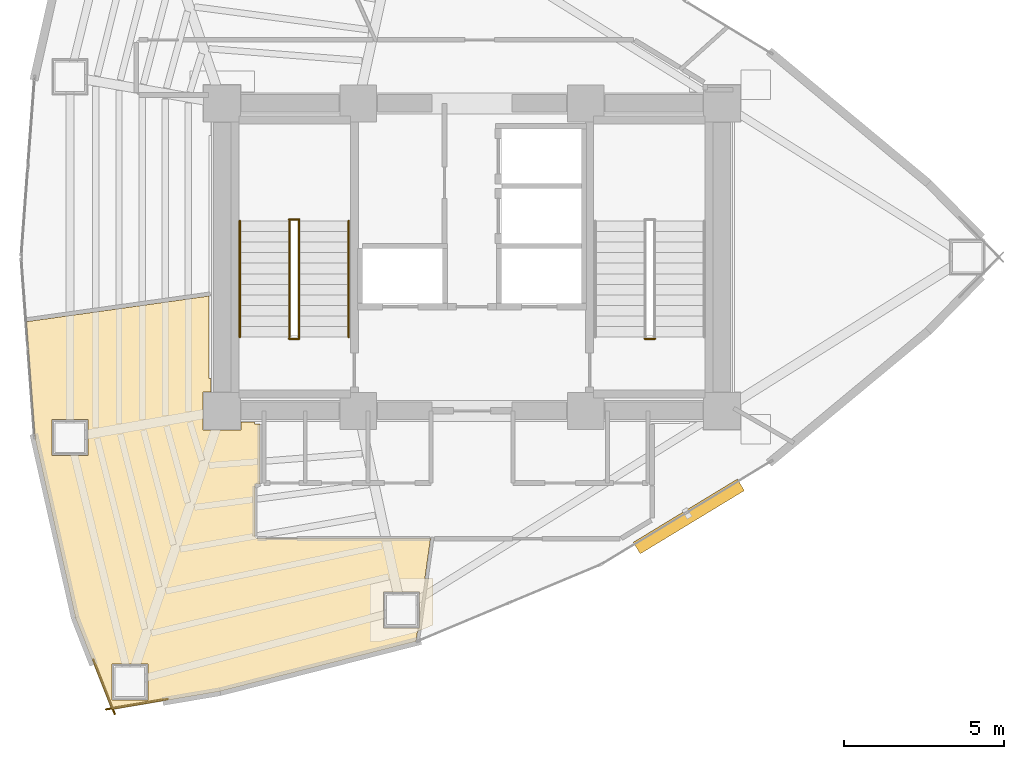
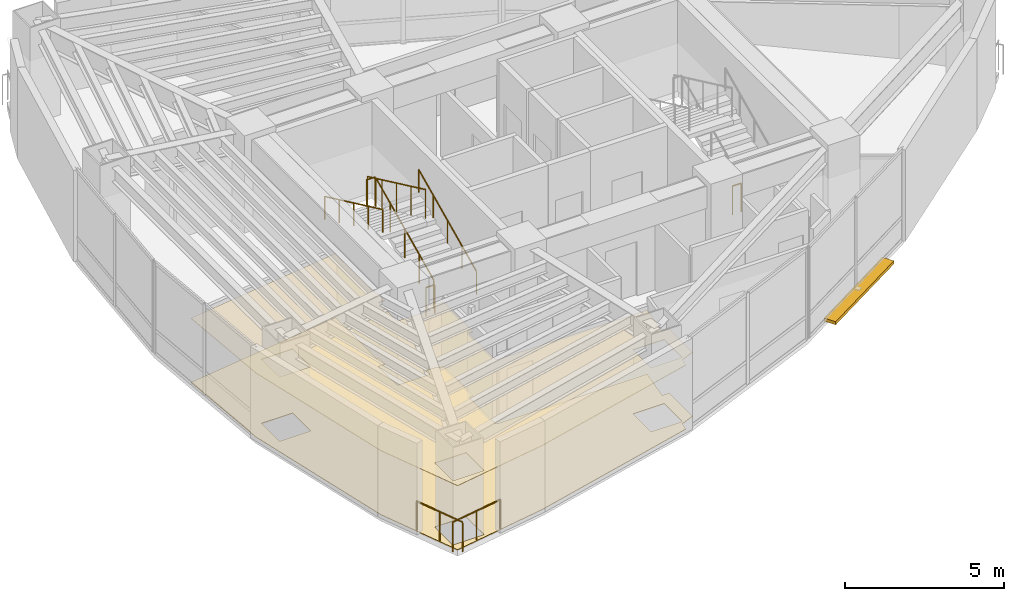
# One storey, part 13 of 15: 9 railings, 2 coverings, 1 shading device.
"""IFC4 building model written with IfcOpenShell, lengths in metres."""

import ifcopenshell
import ifcopenshell.guid

model = None  # the IFC model being written
_history = None  # IfcOwnerHistory: only IFC2X3 demands one
_inside = {}  # id of a spatial element -> (the spatial element, [elements in it])
_under = {}  # id of a project, library or spatial element -> (it, [spatial elements below it])
_declared = {}  # id of a project -> (the project, [libraries it declares])
_typed = {}  # id of a type object -> (the type object, [elements of that type])
_made_of = {}  # id of a material, layer set ... -> (it, [elements and type objects made of it])


def new_model(schema):
    """Start an empty IFC model of exactly this schema.

    Asked for "IFC4X3", IfcOpenShell would pick the latest addendum, in which some entities
    have other attributes; the version numbers below select the first issue.
    IFC2X3 requires an IfcOwnerHistory on every rooted entity: one is made here for all.
    """
    global model, _history
    if schema == "IFC4X3":
        model = ifcopenshell.file(schema_version=(4, 3, 0, 0))
    else:
        model = ifcopenshell.file(schema=schema)
    _inside.clear()
    _under.clear()
    _declared.clear()
    _typed.clear()
    _made_of.clear()
    _history = None
    if model.schema == "IFC2X3":
        org = make("IfcOrganization", Name="unknown")
        user = make(
            "IfcPersonAndOrganization",
            ThePerson=make("IfcPerson", FamilyName="unknown"),
            TheOrganization=org,
        )
        app = make(
            "IfcApplication",
            ApplicationDeveloper=org,
            Version="unknown",
            ApplicationFullName="unknown",
            ApplicationIdentifier="unknown",
        )
        _history = make(
            "IfcOwnerHistory",
            OwningUser=user,
            OwningApplication=app,
            ChangeAction="ADDED",
            CreationDate=0,
        )
    return model


def make(cls, **values):
    """One entity of the class cls with the attributes given. An attribute that is None is left unset."""
    return model.create_entity(
        cls, **{name: value for name, value in values.items() if value is not None}
    )


def rooted(cls, **values):
    """An entity with a GlobalId (a new one), such as an element, a storey or a relation."""
    return make(cls, GlobalId=ifcopenshell.guid.new(), OwnerHistory=_history, **values)


def si_unit(unit_type, name, prefix=None):
    """IfcSIUnit, for example si_unit("LENGTHUNIT", "METRE", prefix="MILLI")."""
    return make("IfcSIUnit", UnitType=unit_type, Prefix=prefix, Name=name)


def assignment(units):
    """IfcUnitAssignment: the units of a project."""
    return None if units is None else make("IfcUnitAssignment", Units=units)


def point(xyz):
    """IfcCartesianPoint."""
    return None if xyz is None else make("IfcCartesianPoint", Coordinates=xyz)


def direction(xyz):
    """IfcDirection."""
    return None if xyz is None else make("IfcDirection", DirectionRatios=xyz)


def frame(location, z_axis=None, x_axis=None):
    """IfcAxis2Placement3D, a coordinate frame: its origin and axes. An axis left out is left unset."""
    return make(
        "IfcAxis2Placement3D",
        Location=point(location),
        Axis=direction(z_axis),
        RefDirection=direction(x_axis),
    )


def frame_2d(location, x_axis=None):
    """IfcAxis2Placement2D, a coordinate frame in the plane: its origin and x axis."""
    return make(
        "IfcAxis2Placement2D", Location=point(location), RefDirection=direction(x_axis)
    )


def origin():
    """The frame at (0, 0, 0) with its axes left unset."""
    return frame((0.0, 0.0, 0.0))


def origin_2d():
    """The frame at (0, 0) in the plane with its x axis left unset."""
    return frame_2d((0.0, 0.0))


def place(relative_to, where):
    """IfcLocalPlacement: puts the frame where relative to a parent placement (None: the world)."""
    return make(
        "IfcLocalPlacement", PlacementRelTo=relative_to, RelativePlacement=where
    )


def context(
    kind, dimensions, precision=None, world=None, true_north=None, identifier=None
):
    """IfcGeometricRepresentationContext, for example the 3D "Model" context."""
    return make(
        "IfcGeometricRepresentationContext",
        ContextIdentifier=identifier,
        ContextType=kind,
        CoordinateSpaceDimension=dimensions,
        Precision=precision,
        WorldCoordinateSystem=world,
        TrueNorth=true_north,
    )


def subcontext(parent, identifier, kind, view, scale=None):
    """IfcGeometricRepresentationSubContext, for example "Body" below "Model"."""
    return make(
        "IfcGeometricRepresentationSubContext",
        ContextIdentifier=identifier,
        ContextType=kind,
        ParentContext=parent,
        TargetScale=scale,
        TargetView=view,
    )


def project(units=None, contexts=None):
    """IfcProject with its units and contexts."""
    return rooted(
        "IfcProject",
        Name="project",
        RepresentationContexts=contexts,
        UnitsInContext=assignment(units),
    )


def spatial(cls, under=None, at=None, **own):
    """A site, building, storey or space (cls), placed at a placement, below another one or the project."""
    s = rooted(cls, ObjectPlacement=at, **own)
    if under is not None:
        _under.setdefault(under.id(), (under, []))[1].append(s)
    return s


def polyline(points):
    """IfcPolyline through the points."""
    return make("IfcPolyline", Points=[point(p) for p in points])


def profile(cls, at=None, kind="AREA", **sizes):
    """A parametric profile (cls). Its sizes go by their IFC names, for example OverallWidth=200.0."""
    return make(cls, ProfileType=kind, Position=at, **sizes)


def rectangle(**sizes):
    """IfcRectangleProfileDef."""
    return profile("IfcRectangleProfileDef", **sizes)


def circle(**sizes):
    """IfcCircleProfileDef."""
    return profile("IfcCircleProfileDef", **sizes)


def outline(outer, holes=None, kind="AREA"):
    """IfcArbitraryClosedProfileDef: a profile drawn as a closed curve; with holes, ...WithVoids."""
    if holes is None:
        return make("IfcArbitraryClosedProfileDef", ProfileType=kind, OuterCurve=outer)
    return make(
        "IfcArbitraryProfileDefWithVoids",
        ProfileType=kind,
        OuterCurve=outer,
        InnerCurves=holes,
    )


def extrude(swept, where, along, depth):
    """IfcExtrudedAreaSolid: the profile swept, set in the frame where, extruded along a direction by depth."""
    return make(
        "IfcExtrudedAreaSolid",
        SweptArea=swept,
        Position=where,
        ExtrudedDirection=direction(along),
        Depth=depth,
    )


def shape(context_of_items, identifier, shape_type, items):
    """IfcShapeRepresentation: the items that make up one representation, for example the "Body"."""
    return make(
        "IfcShapeRepresentation",
        ContextOfItems=context_of_items,
        RepresentationIdentifier=identifier,
        RepresentationType=shape_type,
        Items=items,
    )


def material(Name=None, Category=None):
    """IfcMaterial."""
    return make("IfcMaterial", Name=Name, Category=Category)


def layer(
    of_material, thickness, ventilated=None, Name=None, Category=None, Priority=None
):
    """IfcMaterialLayer: one layer of a wall or slab, of a material (None: an air gap)."""
    return make(
        "IfcMaterialLayer",
        Material=of_material,
        LayerThickness=thickness,
        IsVentilated=ventilated,
        Name=Name,
        Category=Category,
        Priority=Priority,
    )


def layer_set(layers, Name=None):
    """IfcMaterialLayerSet."""
    return make("IfcMaterialLayerSet", MaterialLayers=layers, LayerSetName=Name)


def made_of(thing, what):
    """Note that an element or type object is made of a material, layer set ...; save() writes the relation."""
    if what is not None:
        _made_of.setdefault(what.id(), (what, []))[1].append(thing)
    return thing


def type_object(cls, material=None, **own):
    """A type object (cls), such as IfcWallType, which elements share."""
    return made_of(rooted(cls, **own), material)


def element(
    cls,
    number,
    at=None,
    inside=None,
    cuts=None,
    type_object=None,
    material=None,
    context=None,
    identifier="Body",
    shape_type=None,
    held_by="IfcProductDefinitionShape",
    body=None,
    shapes=None,
    **own,
):
    """One element of the class cls, such as IfcWall. Its Tag is "e" and its number.

    at: its placement. inside: the storey or other place that contains it. cuts: it is an
    opening in that element (IfcRelVoidsElement). A single representation is given by context,
    identifier, shape_type and body (its items); several are given by shapes. held_by: the class
    of the entity that holds the representations. save() writes the other relations.
    """
    e = rooted(cls, Tag="e%d" % number, ObjectPlacement=at, **own)
    if body is not None:
        shapes = [shape(context, identifier, shape_type, body)]
    if shapes is not None:
        e.Representation = make(held_by, Representations=shapes)
    if inside is not None:
        _inside.setdefault(inside.id(), (inside, []))[1].append(e)
    if cuts is not None:
        rooted(
            "IfcRelVoidsElement", RelatingBuildingElement=cuts, RelatedOpeningElement=e
        )
    if type_object is not None:
        _typed.setdefault(type_object.id(), (type_object, []))[1].append(e)
    return made_of(e, material)


def aggregate(whole, parts):
    """IfcRelAggregates: a whole, such as a stair, and the parts it consists of."""
    return rooted("IfcRelAggregates", RelatingObject=whole, RelatedObjects=parts)


def save(model, path):
    """Write the relations noted so far, then the file.

    IfcRelAggregates (storeys below a building ...), IfcRelContainedInSpatialStructure (elements
    in a storey), IfcRelDefinesByType, IfcRelAssociatesMaterial and IfcRelDeclares: one each for
    every whole, place, type object, material and project.
    """
    for whole, parts in _under.values():
        aggregate(whole, parts)
    for where, things in _inside.values():
        rooted(
            "IfcRelContainedInSpatialStructure",
            RelatedElements=things,
            RelatingStructure=where,
        )
    for kind, things in _typed.values():
        rooted("IfcRelDefinesByType", RelatedObjects=things, RelatingType=kind)
    for what, things in _made_of.values():
        rooted("IfcRelAssociatesMaterial", RelatedObjects=things, RelatingMaterial=what)
    for by, libraries in _declared.values():
        rooted("IfcRelDeclares", RelatingContext=by, RelatedDefinitions=libraries)
    model.write(path)


model = new_model("IFC4")

# Units and contexts
model_context = context("Model", 3, precision=1e-05, world=origin(), true_north=direction((0.0, 1.0)))
body_context = subcontext(model_context, "Body", "Model", "MODEL_VIEW")
ifc_project = project(units=[si_unit("LENGTHUNIT", "METRE"), si_unit("AREAUNIT", "SQUARE_METRE"), si_unit("VOLUMEUNIT", "CUBIC_METRE"), si_unit("PLANEANGLEUNIT", "RADIAN"), si_unit("MASSUNIT", "GRAM", prefix="KILO")], contexts=[model_context])

# Site, building, storey
site_placement = place(None, origin())
site = spatial("IfcSite", under=ifc_project, at=site_placement, CompositionType="ELEMENT")
building_placement = place(site_placement, origin())
building = spatial("IfcBuilding", under=site, at=building_placement, Name="Menara Vayukalpa", CompositionType="ELEMENT")
storey_placement = place(building_placement, frame((0.0, 0.0, 137.4599609375)))
storey = spatial("IfcBuildingStorey", under=building, at=storey_placement, Name="L34", CompositionType="ELEMENT", Elevation=137.4599609375)

# Coverings
ifc_material_1 = material(Name="Mineral Fibre Acoustic Ceiling Tile", Category="masonry")
ifc_layer_1 = layer(ifc_material_1, 0.02490234375)
ifc_layer_set_1 = layer_set([ifc_layer_1], Name="Mineral Fibre Acoustic Ceiling Tile")
covering_type_1 = type_object("IfcCoveringType", Name="COV-CLG1", PredefinedType="CEILING", material=ifc_layer_set_1)
covering_1_placement = place(storey_placement, frame((0.0, 0.0, 2.449951171875)))
element("IfcCovering", 1, at=covering_1_placement, inside=storey, type_object=covering_type_1, Name="L34 Operations Support Office Acoustic Ceiling", PredefinedType="CEILING", context=body_context, shape_type="SweptSolid", body=[
    extrude(outline(polyline([(24.3818359375, 10.514404296875), (23.896728515625, 10.3115234375), (23.85498046875, 10.013916015625), (23.854736328125, 10.012939453125), (23.8544921875, 10.01220703125), (23.85400390625, 10.01123046875), (23.853515625, 10.01025390625), (23.85302734375, 10.009521484375), (23.852294921875, 10.0087890625), (23.851806640625, 10.008056640625), (23.85107421875, 10.00732421875), (23.85009765625, 10.0068359375), (23.849365234375, 10.00634765625), (23.848388671875, 10.006103515625), (23.847412109375, 10.005615234375), (17.7314453125, 8.44580078125), (17.730712890625, 8.44580078125), (14.35986328125, 7.873291015625), (14.35888671875, 7.873291015625), (14.35791015625, 7.873291015625), (14.35693359375, 7.873291015625), (14.35595703125, 7.87353515625), (14.35498046875, 7.873779296875), (14.354248046875, 7.874267578125), (14.353271484375, 7.87451171875), (14.3525390625, 7.875), (14.351806640625, 7.875732421875), (14.35107421875, 7.87646484375), (14.350341796875, 7.877197265625), (14.349853515625, 7.8779296875), (14.349365234375, 7.87890625), (14.348876953125, 7.879638671875), (13.22607421875, 10.738525390625), (13.225830078125, 10.7392578125), (13.2255859375, 10.739990234375), (11.958984375, 16.368896484375), (11.958984375, 16.37060546875), (11.688720703125, 19.974853515625), (11.688720703125, 19.975830078125), (11.688720703125, 19.976806640625), (11.68896484375, 19.977783203125), (11.689208984375, 19.978759765625), (11.689453125, 19.979736328125), (11.68994140625, 19.980712890625), (11.6904296875, 19.9814453125), (11.691162109375, 19.982421875), (11.69189453125, 19.98291015625), (11.692626953125, 19.983642578125), (11.693359375, 19.984130859375), (11.6943359375, 19.984619140625), (11.6953125, 19.985107421875), (11.6962890625, 19.9853515625), (11.697265625, 19.985595703125), (17.378662109375, 20.783935546875), (17.379638671875, 20.7841796875), (17.380615234375, 20.7841796875), (17.381591796875, 20.783935546875), (17.382568359375, 20.78369140625), (17.383544921875, 20.783447265625), (17.384521484375, 20.782958984375), (17.385498046875, 20.782470703125), (17.38623046875, 20.781982421875), (17.386962890625, 20.78125), (17.3876953125, 20.780517578125), (17.38818359375, 20.77978515625), (17.388916015625, 20.77880859375), (17.38916015625, 20.778076171875), (17.389404296875, 20.777099609375), (17.389892578125, 20.776123046875), (17.389892578125, 20.775146484375), (17.389892578125, 20.774169921875), (17.389892578125, 18.2099609375), (17.449951171875, 18.2099609375), (17.449951171875, 17.7900390625), (17.2099609375, 17.7900390625), (17.2099609375, 16.610107421875), (18.389892578125, 16.610107421875), (18.389892578125, 16.85009765625), (18.81005859375, 16.85009765625), (18.81005859375, 16.7900390625), (18.97998046875, 16.7900390625), (18.98095703125, 16.7900390625), (18.98193359375, 16.789794921875), (18.98291015625, 16.78955078125), (18.98388671875, 16.789306640625), (18.984619140625, 16.788818359375), (18.985595703125, 16.788330078125), (18.986328125, 16.78759765625), (18.987060546875, 16.787109375), (18.98779296875, 16.786376953125), (18.98828125, 16.78564453125), (18.98876953125, 16.78466796875), (18.9892578125, 16.78369140625), (18.989501953125, 16.782958984375), (18.98974609375, 16.781982421875), (18.989990234375, 16.781005859375), (18.989990234375, 16.780029296875), (18.989990234375, 14.929931640625), (18.989990234375, 14.928955078125), (18.98974609375, 14.927978515625), (18.989501953125, 14.927001953125), (18.9892578125, 14.92626953125), (18.98876953125, 14.92529296875), (18.98828125, 14.92431640625), (18.98779296875, 14.923583984375), (18.987060546875, 14.9228515625), (18.986328125, 14.92236328125), (18.985595703125, 14.921630859375), (18.984619140625, 14.921142578125), (18.98388671875, 14.9208984375), (18.98291015625, 14.92041015625), (18.98193359375, 14.920166015625), (18.98095703125, 14.919921875), (18.97998046875, 14.919921875), (18.900390625, 14.919921875), (18.893310546875, 14.919677734375), (18.88623046875, 14.918701171875), (18.879638671875, 14.9169921875), (18.873291015625, 14.914794921875), (18.866943359375, 14.911865234375), (18.861083984375, 14.908203125), (18.85546875, 14.904052734375), (18.8505859375, 14.8994140625), (18.845947265625, 14.89453125), (18.841796875, 14.888916015625), (18.838134765625, 14.883056640625), (18.835205078125, 14.876708984375), (18.8330078125, 14.870361328125), (18.831298828125, 14.86376953125), (18.830322265625, 14.856689453125), (18.830078125, 14.849609375), (18.830078125, 13.290283203125), (18.830322265625, 13.283203125), (18.831298828125, 13.2763671875), (18.8330078125, 13.269775390625), (18.835205078125, 13.26318359375), (18.838134765625, 13.257080078125), (18.841796875, 13.251220703125), (18.845947265625, 13.24560546875), (18.8505859375, 13.240478515625), (18.85546875, 13.236083984375), (18.861083984375, 13.231689453125), (18.866943359375, 13.228271484375), (18.873291015625, 13.225341796875), (18.879638671875, 13.222900390625), (18.88623046875, 13.22119140625), (18.893310546875, 13.220458984375), (18.900390625, 13.219970703125), (24.2939453125, 13.219970703125), (24.294921875, 13.219970703125), (24.2958984375, 13.2197265625), (24.297119140625, 13.219482421875), (24.2978515625, 13.21923828125), (24.298828125, 13.21875), (24.2998046875, 13.21826171875), (24.300537109375, 13.217529296875), (24.30126953125, 13.216796875), (24.302001953125, 13.21630859375), (24.302490234375, 13.21533203125), (24.302978515625, 13.214599609375), (24.30322265625, 13.213623046875), (24.3037109375, 13.212646484375), (24.303955078125, 13.211669921875), (24.303955078125, 13.210693359375), (24.303955078125, 13.209716796875), (24.303955078125, 13.20849609375), (24.130126953125, 11.972900390625), (24.3818359375, 11.972900390625), (24.3818359375, 10.514404296875)]), holes=[polyline([(14.35546875, 9.304443359375), (14.35546875, 8.174560546875), (15.485595703125, 8.174560546875), (15.485595703125, 9.304443359375), (14.35546875, 9.304443359375)]), polyline([(13.614013671875, 16.93310546875), (12.484130859375, 16.93310546875), (12.484130859375, 15.80322265625), (13.614013671875, 15.80322265625), (13.614013671875, 16.93310546875)]), polyline([(23.9619140625, 11.552978515625), (22.831787109375, 11.552978515625), (22.831787109375, 10.423095703125), (23.9619140625, 10.423095703125), (23.9619140625, 11.552978515625)])]), origin(), (0.0, 0.0, 1.0), 0.025146484375),
])
ifc_material_2 = material(Name="Porcelain Stoneware Floor Tile", Category="masonry")
ifc_layer_2 = layer(ifc_material_2, 0.02001953125)
ifc_layer_set_2 = layer_set([ifc_layer_2], Name="Porcelain Stoneware Floor Tile")
covering_type_2 = type_object("IfcCoveringType", Name="COV-FLR1", PredefinedType="FLOORING", material=ifc_layer_set_2)
covering_2_placement = place(storey_placement, origin())
element("IfcCovering", 2, at=covering_2_placement, inside=storey, type_object=covering_type_2, Name="L34 Operations Support Office Porcelain Flooring", PredefinedType="FLOORING", context=body_context, shape_type="SweptSolid", body=[
    extrude(outline(polyline([(24.3818359375, 10.514404296875), (23.896728515625, 10.3115234375), (23.85498046875, 10.013916015625), (23.854736328125, 10.012939453125), (23.8544921875, 10.01220703125), (23.85400390625, 10.01123046875), (23.853515625, 10.01025390625), (23.85302734375, 10.009521484375), (23.852294921875, 10.0087890625), (23.851806640625, 10.008056640625), (23.85107421875, 10.00732421875), (23.85009765625, 10.0068359375), (23.849365234375, 10.00634765625), (23.848388671875, 10.006103515625), (23.847412109375, 10.005615234375), (17.7314453125, 8.44580078125), (17.730712890625, 8.44580078125), (14.35986328125, 7.873291015625), (14.35888671875, 7.873291015625), (14.35791015625, 7.873291015625), (14.35693359375, 7.873291015625), (14.35595703125, 7.87353515625), (14.35498046875, 7.873779296875), (14.354248046875, 7.874267578125), (14.353271484375, 7.87451171875), (14.3525390625, 7.875), (14.351806640625, 7.875732421875), (14.35107421875, 7.87646484375), (14.350341796875, 7.877197265625), (14.349853515625, 7.8779296875), (14.349365234375, 7.87890625), (14.348876953125, 7.879638671875), (13.22607421875, 10.738525390625), (13.225830078125, 10.7392578125), (13.2255859375, 10.739990234375), (11.958984375, 16.368896484375), (11.958984375, 16.37060546875), (11.688720703125, 19.974853515625), (11.688720703125, 19.975830078125), (11.688720703125, 19.976806640625), (11.68896484375, 19.977783203125), (11.689208984375, 19.978759765625), (11.689453125, 19.979736328125), (11.68994140625, 19.980712890625), (11.6904296875, 19.9814453125), (11.691162109375, 19.982421875), (11.69189453125, 19.98291015625), (11.692626953125, 19.983642578125), (11.693359375, 19.984130859375), (11.6943359375, 19.984619140625), (11.6953125, 19.985107421875), (11.6962890625, 19.9853515625), (11.697265625, 19.985595703125), (17.378662109375, 20.783935546875), (17.379638671875, 20.7841796875), (17.380615234375, 20.7841796875), (17.381591796875, 20.783935546875), (17.382568359375, 20.78369140625), (17.383544921875, 20.783447265625), (17.384521484375, 20.782958984375), (17.385498046875, 20.782470703125), (17.38623046875, 20.781982421875), (17.386962890625, 20.78125), (17.3876953125, 20.780517578125), (17.38818359375, 20.77978515625), (17.388916015625, 20.77880859375), (17.38916015625, 20.778076171875), (17.389404296875, 20.777099609375), (17.389892578125, 20.776123046875), (17.389892578125, 20.775146484375), (17.389892578125, 20.774169921875), (17.389892578125, 18.2099609375), (17.449951171875, 18.2099609375), (17.449951171875, 17.7900390625), (17.2099609375, 17.7900390625), (17.2099609375, 16.610107421875), (18.389892578125, 16.610107421875), (18.389892578125, 16.85009765625), (18.81005859375, 16.85009765625), (18.81005859375, 16.7900390625), (18.97998046875, 16.7900390625), (18.98095703125, 16.7900390625), (18.98193359375, 16.789794921875), (18.98291015625, 16.78955078125), (18.98388671875, 16.789306640625), (18.984619140625, 16.788818359375), (18.985595703125, 16.788330078125), (18.986328125, 16.78759765625), (18.987060546875, 16.787109375), (18.98779296875, 16.786376953125), (18.98828125, 16.78564453125), (18.98876953125, 16.78466796875), (18.9892578125, 16.78369140625), (18.989501953125, 16.782958984375), (18.98974609375, 16.781982421875), (18.989990234375, 16.781005859375), (18.989990234375, 16.780029296875), (18.989990234375, 14.929931640625), (18.989990234375, 14.928955078125), (18.98974609375, 14.927978515625), (18.989501953125, 14.927001953125), (18.9892578125, 14.92626953125), (18.98876953125, 14.92529296875), (18.98828125, 14.92431640625), (18.98779296875, 14.923583984375), (18.987060546875, 14.9228515625), (18.986328125, 14.92236328125), (18.985595703125, 14.921630859375), (18.984619140625, 14.921142578125), (18.98388671875, 14.9208984375), (18.98291015625, 14.92041015625), (18.98193359375, 14.920166015625), (18.98095703125, 14.919921875), (18.97998046875, 14.919921875), (18.900390625, 14.919921875), (18.893310546875, 14.919677734375), (18.88623046875, 14.918701171875), (18.879638671875, 14.9169921875), (18.873291015625, 14.914794921875), (18.866943359375, 14.911865234375), (18.861083984375, 14.908203125), (18.85546875, 14.904052734375), (18.8505859375, 14.8994140625), (18.845947265625, 14.89453125), (18.841796875, 14.888916015625), (18.838134765625, 14.883056640625), (18.835205078125, 14.876708984375), (18.8330078125, 14.870361328125), (18.831298828125, 14.86376953125), (18.830322265625, 14.856689453125), (18.830078125, 14.849609375), (18.830078125, 13.290283203125), (18.830322265625, 13.283203125), (18.831298828125, 13.2763671875), (18.8330078125, 13.269775390625), (18.835205078125, 13.26318359375), (18.838134765625, 13.257080078125), (18.841796875, 13.251220703125), (18.845947265625, 13.24560546875), (18.8505859375, 13.240478515625), (18.85546875, 13.236083984375), (18.861083984375, 13.231689453125), (18.866943359375, 13.228271484375), (18.873291015625, 13.225341796875), (18.879638671875, 13.222900390625), (18.88623046875, 13.22119140625), (18.893310546875, 13.220458984375), (18.900390625, 13.219970703125), (24.2939453125, 13.219970703125), (24.294921875, 13.219970703125), (24.2958984375, 13.2197265625), (24.297119140625, 13.219482421875), (24.2978515625, 13.21923828125), (24.298828125, 13.21875), (24.2998046875, 13.21826171875), (24.300537109375, 13.217529296875), (24.30126953125, 13.216796875), (24.302001953125, 13.21630859375), (24.302490234375, 13.21533203125), (24.302978515625, 13.214599609375), (24.30322265625, 13.213623046875), (24.3037109375, 13.212646484375), (24.303955078125, 13.211669921875), (24.303955078125, 13.210693359375), (24.303955078125, 13.209716796875), (24.303955078125, 13.20849609375), (24.130126953125, 11.972900390625), (24.3818359375, 11.972900390625), (24.3818359375, 10.514404296875)]), holes=[polyline([(14.35546875, 9.304443359375), (14.35546875, 8.174560546875), (15.485595703125, 8.174560546875), (15.485595703125, 9.304443359375), (14.35546875, 9.304443359375)]), polyline([(13.614013671875, 16.93310546875), (12.484130859375, 16.93310546875), (12.484130859375, 15.80322265625), (13.614013671875, 15.80322265625), (13.614013671875, 16.93310546875)]), polyline([(23.9619140625, 11.552978515625), (22.831787109375, 11.552978515625), (22.831787109375, 10.423095703125), (23.9619140625, 10.423095703125), (23.9619140625, 11.552978515625)])]), origin(), (0.0, 0.0, 1.0), 0.02001953125),
])

# Railings
ifc_material_3 = material(Name="Laminated Glass and Stainless Steel 316 Guardrail", Category="steel")
railing_type_1 = type_object("IfcRailingType", Name="RLG-EXT115", PredefinedType="GUARDRAIL", material=ifc_material_3)
railing_1_placement = place(storey_placement, frame((13.77880859375, 9.440673828125, 0.0)))
element("IfcRailing", 3, at=railing_1_placement, inside=storey, type_object=railing_type_1, Name="L34 Column Corner Spandrel Guardrail 13-1", PredefinedType="GUARDRAIL", context=body_context, shape_type="SweptSolid", body=[
    extrude(circle(Radius=0.02392578125, at=origin_2d()), frame((0.0, 0.0, 1.1259765625), z_axis=(0.365496165744, -0.93081284522, 0.0), x_axis=(0.93081284522, 0.365496165744, 0.0)), (0.0, 0.0, 1.0), 1.837646484375),
    extrude(circle(Radius=0.02099609375, at=origin_2d()), origin(), (0.0, 0.0, 1.0), 1.101806640625),
    extrude(circle(Radius=0.02099609375, at=origin_2d()), frame((0.3359375, -0.855224609375, 0.0)), (0.0, 0.0, 1.0), 1.101806640625),
    extrude(circle(Radius=0.02099609375, at=origin_2d()), frame((0.671630859375, -1.71044921875, 0.0)), (0.0, 0.0, 1.0), 1.101806640625),
])
railing_2_placement = place(storey_placement, frame((14.179443359375, 7.88330078125, 0.0)))
element("IfcRailing", 4, at=railing_2_placement, inside=storey, type_object=railing_type_1, Name="L34 Column Corner Spandrel Guardrail 14-1", PredefinedType="GUARDRAIL", context=body_context, shape_type="SweptSolid", body=[
    extrude(circle(Radius=0.02392578125, at=origin_2d()), frame((0.0, 0.0, 1.1259765625), z_axis=(0.985886955751, 0.167412396435, 0.0), x_axis=(-0.167412396435, 0.985886955751, 0.0)), (0.0, 0.0, 1.0), 1.94384765625),
    extrude(circle(Radius=0.02099609375, at=origin_2d()), origin(), (0.0, 0.0, 1.0), 1.101806640625),
    extrude(circle(Radius=0.02099609375, at=origin_2d()), frame((0.958251953125, 0.16259765625, 0.0)), (0.0, 0.0, 1.0), 1.101806640625),
    extrude(circle(Radius=0.02099609375, at=origin_2d()), frame((1.91650390625, 0.325439453125, 0.0)), (0.0, 0.0, 1.0), 1.101806640625),
])
ifc_material_4 = material(Name="Powder-Coated Galvanised Steel Guardrail", Category="steel")
railing_type_2 = type_object("IfcRailingType", Name="RLG-STG110", PredefinedType="GUARDRAIL", material=ifc_material_4)
railing_3_placement = place(storey_placement, frame((20.199951171875, 19.5, 0.155029296875)))
element("IfcRailing", 5, at=railing_3_placement, inside=storey, type_object=railing_type_2, Name="L34 ST-1 stair guard 1", PredefinedType="GUARDRAIL", context=body_context, shape_type="SweptSolid", body=[
    extrude(circle(Radius=0.02392578125, at=origin_2d()), frame((0.0, 0.0, 1.09619140625), z_axis=(0.0, 0.90511648382, 0.425163675209), x_axis=(-1.0, 0.0, 0.0)), (0.0, 0.0, 1.0), 4.010498046875),
    extrude(circle(Radius=0.02099609375, at=origin_2d()), origin(), (0.0, 0.0, 1.0), 1.072021484375),
    extrude(circle(Radius=0.02099609375, at=origin_2d()), frame((0.0, 0.907470703125, 0.42626953125)), (0.0, 0.0, 1.0), 1.072021484375),
    extrude(circle(Radius=0.02099609375, at=origin_2d()), frame((0.0, 1.81494140625, 0.8525390625)), (0.0, 0.0, 1.0), 1.072021484375),
    extrude(circle(Radius=0.02099609375, at=origin_2d()), frame((0.0, 2.722412109375, 1.27880859375)), (0.0, 0.0, 1.0), 1.072021484375),
    extrude(circle(Radius=0.02099609375, at=origin_2d()), frame((0.0, 3.6298828125, 1.705078125)), (0.0, 0.0, 1.0), 1.072021484375),
])
railing_4_placement = place(storey_placement, frame((20.2099609375, 23.179931640625, 1.860107421875)))
element("IfcRailing", 6, at=railing_4_placement, inside=storey, type_object=railing_type_2, Name="L34 ST-1 stair guard 2", PredefinedType="GUARDRAIL", context=body_context, shape_type="SweptSolid", body=[
    extrude(circle(Radius=0.02392578125, at=origin_2d()), frame((0.0, 0.0, 1.09619140625), z_axis=(-1.0, 0.0, 0.0), x_axis=(0.0, -1.0, 0.0)), (0.0, 0.0, 1.0), 0.320068359375),
    extrude(circle(Radius=0.02099609375, at=origin_2d()), origin(), (0.0, 0.0, 1.0), 1.072021484375),
    extrude(circle(Radius=0.02099609375, at=origin_2d()), frame((-0.320068359375, 0.0, 0.0)), (0.0, 0.0, 1.0), 1.072021484375),
])
railing_5_placement = place(storey_placement, frame((19.89990234375, 23.1298828125, 2.01513671875)))
element("IfcRailing", 7, at=railing_5_placement, inside=storey, type_object=railing_type_2, Name="L34 ST-1 stair guard 3", PredefinedType="GUARDRAIL", context=body_context, shape_type="SweptSolid", body=[
    extrude(circle(Radius=0.02392578125, at=origin_2d()), frame((0.0, 0.0, 1.09619140625), z_axis=(0.0, -0.90513990983, 0.425113800803), x_axis=(1.0, 0.0, 0.0)), (0.0, 0.0, 1.0), 4.01025390625),
    extrude(circle(Radius=0.02099609375, at=origin_2d()), origin(), (0.0, 0.0, 1.0), 1.072021484375),
    extrude(circle(Radius=0.02099609375, at=origin_2d()), frame((0.0, -0.907470703125, 0.42626953125)), (0.0, 0.0, 1.0), 1.072021484375),
    extrude(circle(Radius=0.02099609375, at=origin_2d()), frame((0.0, -1.81494140625, 0.8525390625)), (0.0, 0.0, 1.0), 1.072021484375),
    extrude(circle(Radius=0.02099609375, at=origin_2d()), frame((0.0, -2.722412109375, 1.278564453125)), (0.0, 0.0, 1.0), 1.072021484375),
    extrude(circle(Radius=0.02099609375, at=origin_2d()), frame((0.0, -3.6298828125, 1.704833984375)), (0.0, 0.0, 1.0), 1.072021484375),
])
for number, where, name in (
    (8, (20.2099609375, 19.449951171875, 0.0), "L34 ST-1 stair guard 4"),
    (9, (31.31005859375, 19.449951171875, 0.0), "L34 ST-2 stair guard 4"),
):
    element("IfcRailing", number, at=place(storey_placement, frame(where)), inside=storey, type_object=railing_type_2, Name=name, PredefinedType="GUARDRAIL", context=body_context, shape_type="SweptSolid", body=[
        extrude(circle(Radius=0.02392578125, at=origin_2d()), frame((0.0, 0.0, 1.09619140625), z_axis=(-1.0, 0.0, 0.0), x_axis=(0.0, -1.0, 0.0)), (0.0, 0.0, 1.0), 0.320068359375),
        extrude(circle(Radius=0.02099609375, at=origin_2d()), origin(), (0.0, 0.0, 1.0), 1.072021484375),
        extrude(circle(Radius=0.02099609375, at=origin_2d()), frame((-0.320068359375, 0.0, 0.0)), (0.0, 0.0, 1.0), 1.072021484375),
    ])
ifc_material_5 = material(Name="Stainless Steel 316 Tubular Handrail", Category="steel")
railing_type_3 = type_object("IfcRailingType", Name="RLG-STH090", PredefinedType="HANDRAIL", material=ifc_material_5)
railing_6_placement = place(storey_placement, frame((21.75, 19.5, 0.155029296875)))
element("IfcRailing", 10, at=railing_6_placement, inside=storey, type_object=railing_type_3, Name="L34 ST-1 stair handrail 1", PredefinedType="HANDRAIL", context=body_context, shape_type="SweptSolid", body=[
    extrude(circle(Radius=0.02392578125, at=origin_2d()), frame((0.0, 0.0, 0.8759765625), z_axis=(0.0, 0.90511648382, 0.425163675209), x_axis=(-1.0, 0.0, 0.0)), (0.0, 0.0, 1.0), 4.010498046875),
    extrude(circle(Radius=0.02099609375, at=origin_2d()), origin(), (0.0, 0.0, 1.0), 0.851806640625),
    extrude(circle(Radius=0.02099609375, at=origin_2d()), frame((0.0, 0.907470703125, 0.42626953125)), (0.0, 0.0, 1.0), 0.851806640625),
    extrude(circle(Radius=0.02099609375, at=origin_2d()), frame((0.0, 1.81494140625, 0.8525390625)), (0.0, 0.0, 1.0), 0.851806640625),
    extrude(circle(Radius=0.02099609375, at=origin_2d()), frame((0.0, 2.722412109375, 1.27880859375)), (0.0, 0.0, 1.0), 0.851806640625),
    extrude(circle(Radius=0.02099609375, at=origin_2d()), frame((0.0, 3.6298828125, 1.705078125)), (0.0, 0.0, 1.0), 0.851806640625),
])
railing_7_placement = place(storey_placement, frame((18.35009765625, 23.1298828125, 2.01513671875)))
element("IfcRailing", 11, at=railing_7_placement, inside=storey, type_object=railing_type_3, Name="L34 ST-1 stair handrail 2", PredefinedType="HANDRAIL", context=body_context, shape_type="SweptSolid", body=[
    extrude(circle(Radius=0.02392578125, at=origin_2d()), frame((0.0, 0.0, 0.8759765625), z_axis=(0.0, -0.90513990983, 0.425113800803), x_axis=(1.0, 0.0, 0.0)), (0.0, 0.0, 1.0), 4.01025390625),
    extrude(circle(Radius=0.02099609375, at=origin_2d()), origin(), (0.0, 0.0, 1.0), 0.851806640625),
    extrude(circle(Radius=0.02099609375, at=origin_2d()), frame((0.0, -0.907470703125, 0.42626953125)), (0.0, 0.0, 1.0), 0.851806640625),
    extrude(circle(Radius=0.02099609375, at=origin_2d()), frame((0.0, -1.81494140625, 0.8525390625)), (0.0, 0.0, 1.0), 0.851806640625),
    extrude(circle(Radius=0.02099609375, at=origin_2d()), frame((0.0, -2.722412109375, 1.278564453125)), (0.0, 0.0, 1.0), 0.851806640625),
    extrude(circle(Radius=0.02099609375, at=origin_2d()), frame((0.0, -3.6298828125, 1.704833984375)), (0.0, 0.0, 1.0), 0.851806640625),
])

# Shading device
ifc_material_6 = material(Name="Glazed Terracotta Ceramic Baguette Extrusion", Category="masonry")
ifc_layer_3 = layer(ifc_material_6, 0.1201171875)
ifc_layer_set_3 = layer_set([ifc_layer_3], Name="Glazed Terracotta Ceramic Baguette Extrusion")
shading_device_type = type_object("IfcShadingDeviceType", Name="SHD-SS1", PredefinedType="USERDEFINED", material=ifc_layer_set_3)
shading_device_placement = place(storey_placement, frame((32.368408203125, 13.90478515625, -0.10009765625), z_axis=(0.0, 0.0, 1.0), x_axis=(0.854658248158, 0.519190984952, 0.0)))
element("IfcShadingDevice", 12, at=shading_device_placement, inside=storey, type_object=shading_device_type, Name="L34 Horizontal Terracotta Sunshade Band 17", ObjectType="SUNSHADE", PredefinedType="USERDEFINED", context=body_context, shape_type="SweptSolid", body=[
    extrude(rectangle(XDim=3.800048828125, YDim=0.419921875, at=origin_2d()), origin(), (0.0, 0.0, 1.0), 0.1201171875),
])

save(model, "model.ifc")
